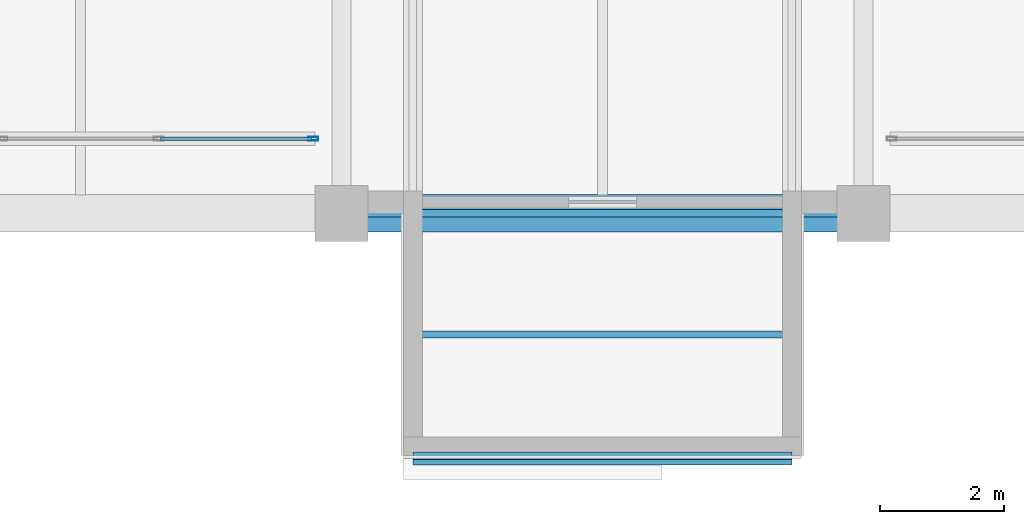
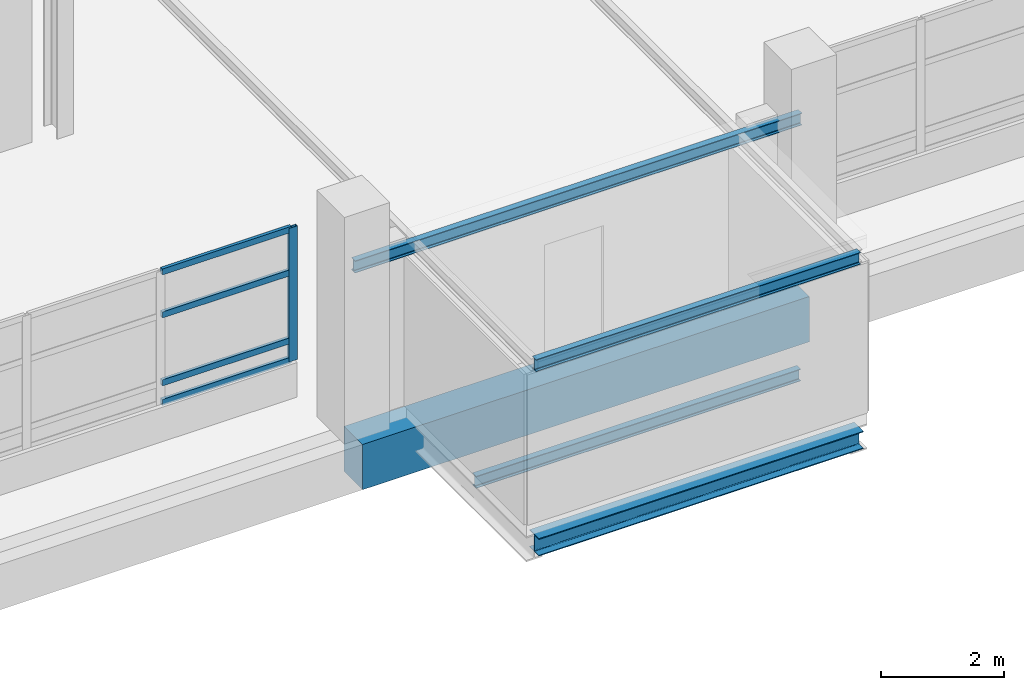
# One storey, part 15 of 103: 5 beams, 5 members, 1 element without a shape of its own.
"""IFC4 building model written with IfcOpenShell, lengths in metres."""

from ifc_helpers import new_model, si_unit, direction, frame, origin, origin_2d, place, context, subcontext, project, spatial, rectangle, hollow_rectangle, i_section, extrude, material, material_profile, profile_set, type_object, element, aggregate, save


model = new_model("IFC4")

# Units and contexts
model_context = context("Model", 3, precision=1e-05, world=origin(), true_north=direction((0.0, 1.0)))
body_context = subcontext(model_context, "Body", "Model", "MODEL_VIEW")
ifc_project = project(units=[si_unit("LENGTHUNIT", "METRE"), si_unit("AREAUNIT", "SQUARE_METRE"), si_unit("VOLUMEUNIT", "CUBIC_METRE"), si_unit("PLANEANGLEUNIT", "RADIAN"), si_unit("MASSUNIT", "GRAM", prefix="KILO")], contexts=[model_context])

# Site, building, storey
site_placement = place(None, origin())
site = spatial("IfcSite", under=ifc_project, at=site_placement, CompositionType="ELEMENT")
building_placement = place(site_placement, origin())
building = spatial("IfcBuilding", under=site, at=building_placement, Name="Veltarok Museum of Natural Sciences", CompositionType="ELEMENT")
storey_placement = place(building_placement, frame((0.0, 0.0, 21.89990234375)))
storey = spatial("IfcBuildingStorey", under=building, at=storey_placement, Name="L04", CompositionType="ELEMENT", Elevation=21.89990234375)

# Beams
ifc_material_1 = material(Name="Steel S355J2", Category="steel")
ifc_material_profile_1 = material_profile(ifc_material_1, i_section(OverallWidth=0.1201171875, OverallDepth=0.239990234375, WebThickness=0.006103515625, FlangeThickness=0.009765625, FilletRadius=0.014892578125, at=origin_2d()), Name="IPE 240")
ifc_profile_set_1 = profile_set([ifc_material_profile_1], Name="Steel S355J2")
beam_type_1 = type_object("IfcBeamType", Name="Cabinet Box Secondary Joist IPE 240", PredefinedType="JOIST", material=ifc_profile_set_1)
beam_1_placement = place(storey_placement, frame((65.199951171875, 0.0, 3.130126953125), z_axis=(1.0, 0.0, 0.0), x_axis=(0.0, 1.0, 0.0)))
element("IfcBeam", 1, at=beam_1_placement, inside=storey, type_object=beam_type_1, Name="Cabinet Roof Tie Beam DB-21-P", PredefinedType="JOIST", context=body_context, shape_type="SweptSolid", body=[
    extrude(i_section(OverallWidth=0.1201171875, OverallDepth=0.239990234375, WebThickness=0.006103515625, FlangeThickness=0.009765625, FilletRadius=0.014892578125, at=origin_2d()), origin(), (0.0, 0.0, 1.0), 8.400146484375),
])
for number, where, z_axis, x_axis, name in (
    (2, (66.35009765625, -3.89990234375, 3.130126953125), (1.0, 0.0, 0.0), (0.0, 1.0, 0.0), "Cabinet Roof Tip Header DB-21"),
    (3, (66.35009765625, -1.949951171875, -0.369873046875), (1.0, 0.0, 0.0), (0.0, 1.0, 0.0), "Cabinet Box Joist DB-21"),
):
    element("IfcBeam", number, at=place(storey_placement, frame(where, z_axis=z_axis, x_axis=x_axis)), inside=storey, type_object=beam_type_1, Name=name, PredefinedType="JOIST", context=body_context, shape_type="SweptSolid", body=[
        extrude(i_section(OverallWidth=0.1201171875, OverallDepth=0.239990234375, WebThickness=0.006103515625, FlangeThickness=0.009765625, FilletRadius=0.014892578125, at=origin_2d()), origin(), (0.0, 0.0, 1.0), 6.099853515625),
    ])
ifc_material_profile_2 = material_profile(ifc_material_1, i_section(OverallWidth=0.300048828125, OverallDepth=0.35009765625, WebThickness=0.010009765625, FlangeThickness=0.017578125, FilletRadius=0.027099609375, at=origin_2d()), Name="HEA 360")
ifc_profile_set_2 = profile_set([ifc_material_profile_2], Name="Steel S355J2")
beam_type_2 = type_object("IfcBeamType", Name="Cabinet Box Tip Header HEA 360", PredefinedType="BEAM", material=ifc_profile_set_2)
beam_2_placement = place(storey_placement, frame((66.35009765625, -3.89990234375, -0.4248046875), z_axis=(1.0, 0.0, 0.0), x_axis=(0.0, 1.0, 0.0)))
element("IfcBeam", 4, at=beam_2_placement, inside=storey, type_object=beam_type_2, Name="Cabinet Tip Header DB-21", PredefinedType="BEAM", context=body_context, shape_type="SweptSolid", body=[
    extrude(i_section(OverallWidth=0.300048828125, OverallDepth=0.35009765625, WebThickness=0.010009765625, FlangeThickness=0.017578125, FilletRadius=0.027099609375, at=origin_2d()), origin(), (0.0, 0.0, 1.0), 6.099853515625),
])

# Curtain wall, members
ifc_material_2 = material(Name="Low-iron triple insulated glass", Category="glass")
curtain_wall_type = type_object("IfcCurtainWallType", Name="Curtain Wall System CW-CAB-L04-B-755x266 (V1 Recessed L04 755x266cm)", PredefinedType="NOTDEFINED", material=ifc_material_2)
curtain_wall_placement = place(storey_placement, origin())
curtain_wall = element("IfcCurtainWall", 5, at=curtain_wall_placement, inside=storey, type_object=curtain_wall_type, Name="Curtain Wall CW-CAB-L04-B-755x266 CW-0007", PredefinedType="NOTDEFINED")
ifc_material_3 = material(Name="Thermally broken anodised aluminium", Category="aluminium")
ifc_material_profile_3 = material_profile(ifc_material_3, hollow_rectangle(XDim=0.06005859375, YDim=0.1201171875, WallThickness=0.0048828125, at=origin_2d()), Name="CW TRANSOM 60x120x5")
ifc_profile_set_3 = profile_set([ifc_material_profile_3], Name="Thermally broken anodised aluminium")
member_type_1 = type_object("IfcMemberType", Name="Curtain Wall Horizontal Transom 60x120x5", PredefinedType="USERDEFINED", material=ifc_profile_set_3)
member_1_placement = place(storey_placement, frame((62.288330078125, 1.199951171875, 0.710205078125), z_axis=(1.0, 0.0, 0.0), x_axis=(0.0, 1.0, 0.0)))
member_1 = element("IfcMember", 6, at=member_1_placement, type_object=member_type_1, Name="CW-CAB-L04-B-755x266 transom 3.1", ObjectType="TRANSOM", PredefinedType="USERDEFINED", context=body_context, shape_type="SweptSolid", body=[
    extrude(hollow_rectangle(XDim=0.06005859375, YDim=0.1201171875, WallThickness=0.0048828125, at=origin_2d()), origin(), (0.0, 0.0, 1.0), 2.4267578125),
])
member_2_placement = place(storey_placement, frame((62.288330078125, 1.199951171875, 1.10009765625), z_axis=(1.0, 0.0, 0.0), x_axis=(0.0, 1.0, 0.0)))
member_2 = element("IfcMember", 7, at=member_2_placement, type_object=member_type_1, Name="CW-CAB-L04-B-755x266 transom 3.2", ObjectType="TRANSOM", PredefinedType="USERDEFINED", context=body_context, shape_type="SweptSolid", body=[
    extrude(hollow_rectangle(XDim=0.06005859375, YDim=0.1201171875, WallThickness=0.0048828125, at=origin_2d()), origin(), (0.0, 0.0, 1.0), 2.4267578125),
])
member_3_placement = place(storey_placement, frame((62.288330078125, 1.199951171875, 2.4501953125), z_axis=(1.0, 0.0, 0.0), x_axis=(0.0, 1.0, 0.0)))
member_3 = element("IfcMember", 8, at=member_3_placement, type_object=member_type_1, Name="CW-CAB-L04-B-755x266 transom 3.3", ObjectType="TRANSOM", PredefinedType="USERDEFINED", context=body_context, shape_type="SweptSolid", body=[
    extrude(hollow_rectangle(XDim=0.06005859375, YDim=0.1201171875, WallThickness=0.0048828125, at=origin_2d()), origin(), (0.0, 0.0, 1.0), 2.4267578125),
])
member_4_placement = place(storey_placement, frame((62.288330078125, 1.199951171875, 3.30517578125), z_axis=(1.0, 0.0, 0.0), x_axis=(0.0, 1.0, 0.0)))
member_4 = element("IfcMember", 9, at=member_4_placement, type_object=member_type_1, Name="CW-CAB-L04-B-755x266 transom 3.4", ObjectType="TRANSOM", PredefinedType="USERDEFINED", context=body_context, shape_type="SweptSolid", body=[
    extrude(hollow_rectangle(XDim=0.06005859375, YDim=0.1201171875, WallThickness=0.0048828125, at=origin_2d()), origin(), (0.0, 0.0, 1.0), 2.4267578125),
])
ifc_material_profile_4 = material_profile(ifc_material_3, hollow_rectangle(XDim=0.06005859375, YDim=0.159912109375, WallThickness=0.0048828125, at=origin_2d()), Name="CW MULLION 60x160x5")
ifc_profile_set_4 = profile_set([ifc_material_profile_4], Name="Thermally broken anodised aluminium")
member_type_2 = type_object("IfcMemberType", Name="Curtain Wall Vertical Mullion 60x160x5", PredefinedType="MULLION", material=ifc_profile_set_4)
member_5_placement = place(storey_placement, frame((64.7451171875, 1.199951171875, 0.68017578125), z_axis=(0.0, 0.0, 1.0), x_axis=(0.0, 1.0, 0.0)))
member_5 = element("IfcMember", 10, at=member_5_placement, type_object=member_type_2, Name="CW-CAB-L04-B-755x266 mullion 4", PredefinedType="MULLION", context=body_context, shape_type="SweptSolid", body=[
    extrude(hollow_rectangle(XDim=0.06005859375, YDim=0.159912109375, WallThickness=0.0048828125, at=origin_2d()), origin(), (0.0, 0.0, 1.0), 2.655029296875),
])
aggregate(curtain_wall, [member_5, member_1, member_2, member_3, member_4])

# Beam
ifc_material_4 = material(Name="Concrete C40/50", Category="concrete")
ifc_material_profile_5 = material_profile(ifc_material_4, rectangle(XDim=0.60009765625, YDim=0.89990234375, at=origin_2d()), Name="RC 600x900")
ifc_profile_set_5 = profile_set([ifc_material_profile_5], Name="Concrete C40/50")
beam_type_3 = type_object("IfcBeamType", Name="Exposed Cabinet Perimeter Spandrel RC 600x900", PredefinedType="SPANDREL", material=ifc_profile_set_5)
beam_3_placement = place(storey_placement, frame((65.199951171875, 0.0, -0.699951171875), z_axis=(1.0, 0.0, 0.0), x_axis=(0.0, 1.0, 0.0)))
element("IfcBeam", 11, at=beam_3_placement, inside=storey, type_object=beam_type_3, Name="Beam BM-SP01 L04 8-9/A", PredefinedType="SPANDREL", context=body_context, shape_type="SweptSolid", body=[
    extrude(rectangle(XDim=0.60009765625, YDim=0.89990234375, at=origin_2d()), origin(), (0.0, 0.0, 1.0), 8.400146484375),
])

save(model, "model.ifc")
